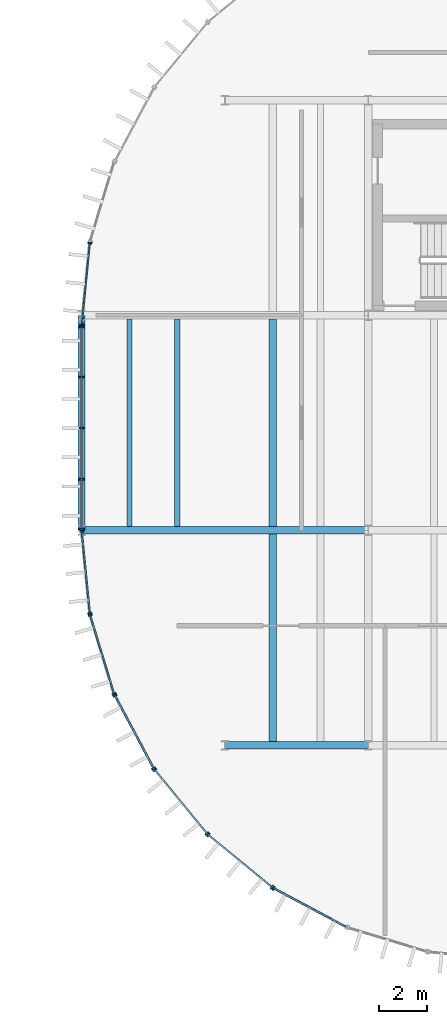
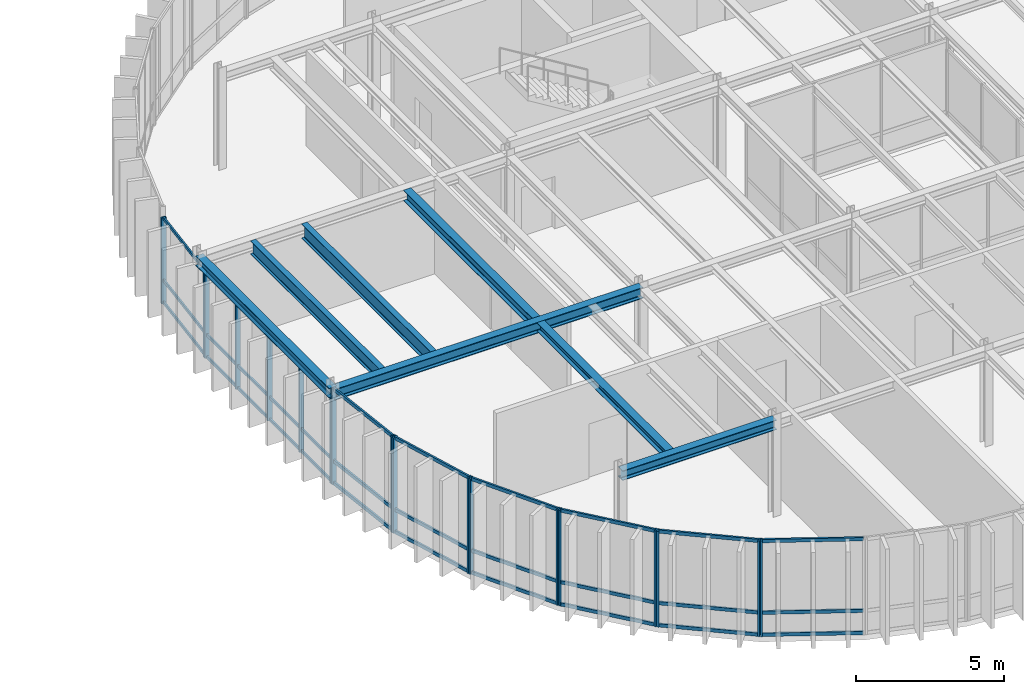
# One storey, part 6 of 31: 42 members, 7 beams, 8 elements without a shape of their own.
"""IFC4 building model written with IfcOpenShell, lengths in metres."""

from ifc_helpers import new_model, si_unit, direction, frame, origin, origin_2d, place, context, subcontext, project, spatial, rectangle, i_section, extrude, material, layer, layer_set, material_profile, profile_set, type_object, element, aggregate, save


model = new_model("IFC4")

# Units and contexts
model_context = context("Model", 3, precision=1e-05, world=origin(), true_north=direction((0.0, 1.0)))
body_context = subcontext(model_context, "Body", "Model", "MODEL_VIEW")
ifc_project = project(units=[si_unit("LENGTHUNIT", "METRE"), si_unit("AREAUNIT", "SQUARE_METRE"), si_unit("VOLUMEUNIT", "CUBIC_METRE"), si_unit("PLANEANGLEUNIT", "RADIAN"), si_unit("MASSUNIT", "GRAM", prefix="KILO")], contexts=[model_context])

# Site, building, storey
site_placement = place(None, origin())
site = spatial("IfcSite", under=ifc_project, at=site_placement, CompositionType="ELEMENT")
building_placement = place(site_placement, origin())
building = spatial("IfcBuilding", under=site, at=building_placement, Name="Montealbar Specialist Clinic", CompositionType="ELEMENT")
storey_placement = place(building_placement, frame((0.0, 0.0, 13.800048828125)))
storey = spatial("IfcBuildingStorey", under=building, at=storey_placement, Name="L03", CompositionType="ELEMENT", Elevation=13.800048828125)

# Beams
ifc_material_1 = material(Name="Steel S355", Category="steel")
ifc_material_profile_1 = material_profile(ifc_material_1, i_section(OverallWidth=0.300048828125, OverallDepth=0.39990234375, WebThickness=0.013427734375, FlangeThickness=0.02392578125, FilletRadius=0.027099609375, at=origin_2d()), Name="HEB 400", Category="steel")
ifc_profile_set_1 = profile_set([ifc_material_profile_1], Name="Steel S355")
beam_type_1 = type_object("IfcBeamType", Name="BM-GIRD-HEB400", PredefinedType="BEAM", material=ifc_profile_set_1)
beam_1_placement = place(storey_placement, frame((60.0, 9.0, 3.739990234375), z_axis=(1.0, 0.0, 0.0), x_axis=(0.0, 1.0, 0.0)))
element("IfcBeam", 1, at=beam_1_placement, inside=storey, type_object=beam_type_1, Name="Beam GX-L03-600-660-90", PredefinedType="BEAM", context=body_context, shape_type="SweptSolid", body=[
    extrude(i_section(OverallWidth=0.300048828125, OverallDepth=0.39990234375, WebThickness=0.013427734375, FlangeThickness=0.02392578125, FilletRadius=0.027099609375, at=origin_2d()), origin(), (0.0, 0.0, 1.0), 6.0),
])
ifc_material_profile_2 = material_profile(ifc_material_1, i_section(OverallWidth=0.300048828125, OverallDepth=0.39990234375, WebThickness=0.013427734375, FlangeThickness=0.02392578125, FilletRadius=0.027099609375, at=origin_2d()), Name="HEB 400", Category="steel")
ifc_profile_set_2 = profile_set([ifc_material_profile_2], Name="Steel S355")
beam_type_2 = type_object("IfcBeamType", Name="BM-GIRD-HEB400-EXT", PredefinedType="BEAM", material=ifc_profile_set_2)
beam_2_placement = place(storey_placement, frame((54.0, 18.0, 3.739990234375), z_axis=(0.0, 1.0, 0.0), x_axis=(-1.0, 0.0, 0.0)))
element("IfcBeam", 2, at=beam_2_placement, inside=storey, type_object=beam_type_2, Name="Beam GY-L03-540-180-270", PredefinedType="BEAM", context=body_context, shape_type="SweptSolid", body=[
    extrude(i_section(OverallWidth=0.300048828125, OverallDepth=0.39990234375, WebThickness=0.013427734375, FlangeThickness=0.02392578125, FilletRadius=0.027099609375, at=origin_2d()), origin(), (0.0, 0.0, 1.0), 9.0),
])
ifc_material_profile_3 = material_profile(ifc_material_1, i_section(OverallWidth=0.300048828125, OverallDepth=0.449951171875, WebThickness=0.013916015625, FlangeThickness=0.02587890625, FilletRadius=0.027099609375, at=origin_2d()), Name="HEB 450", Category="steel")
ifc_profile_set_3 = profile_set([ifc_material_profile_3], Name="Steel S355")
beam_type_3 = type_object("IfcBeamType", Name="BM-GIRD-HEB450", PredefinedType="BEAM", material=ifc_profile_set_3)
beam_3_placement = place(storey_placement, frame((54.0, 18.0, 3.71484375), z_axis=(1.0, 0.0, 0.0), x_axis=(0.0, 1.0, 0.0)))
element("IfcBeam", 3, at=beam_3_placement, inside=storey, type_object=beam_type_3, Name="Beam GX-L03-540-660-180", PredefinedType="BEAM", context=body_context, shape_type="SweptSolid", body=[
    extrude(i_section(OverallWidth=0.300048828125, OverallDepth=0.449951171875, WebThickness=0.013916015625, FlangeThickness=0.02587890625, FilletRadius=0.027099609375, at=origin_2d()), origin(), (0.0, 0.0, 1.0), 12.0),
])
ifc_material_profile_4 = material_profile(ifc_material_1, i_section(OverallWidth=0.300048828125, OverallDepth=0.35009765625, WebThickness=0.010009765625, FlangeThickness=0.017578125, FilletRadius=0.027099609375, at=origin_2d()), Name="HEA 360", Category="steel")
ifc_profile_set_4 = profile_set([ifc_material_profile_4], Name="Steel S355")
beam_type_4 = type_object("IfcBeamType", Name="BM-JST-HEA360", PredefinedType="JOIST", material=ifc_profile_set_4)
beam_4_placement = place(storey_placement, frame((62.0, 9.14990234375, 3.764892578125), z_axis=(0.0, 1.0, 0.0), x_axis=(-1.0, 0.0, 0.0)))
element("IfcBeam", 4, at=beam_4_placement, inside=storey, type_object=beam_type_4, Name="Beam JST-L03-620-92-178", PredefinedType="JOIST", context=body_context, shape_type="SweptSolid", body=[
    extrude(i_section(OverallWidth=0.300048828125, OverallDepth=0.35009765625, WebThickness=0.010009765625, FlangeThickness=0.017578125, FilletRadius=0.027099609375, at=origin_2d()), origin(), (0.0, 0.0, 1.0), 8.7001953125),
])
ifc_material_profile_5 = material_profile(ifc_material_1, i_section(OverallWidth=0.300048828125, OverallDepth=0.43994140625, WebThickness=0.011474609375, FlangeThickness=0.02099609375, FilletRadius=0.027099609375, at=origin_2d()), Name="HEA 450", Category="steel")
ifc_profile_set_5 = profile_set([ifc_material_profile_5], Name="Steel S355")
beam_type_5 = type_object("IfcBeamType", Name="BM-JST-HEA450", PredefinedType="JOIST", material=ifc_profile_set_5)
beam_5_placement = place(storey_placement, frame((62.0, 18.14990234375, 3.719970703125), z_axis=(0.0, 1.0, 0.0), x_axis=(-1.0, 0.0, 0.0)))
element("IfcBeam", 5, at=beam_5_placement, inside=storey, type_object=beam_type_5, Name="Beam JST-L03-620-182-268", PredefinedType="JOIST", context=body_context, shape_type="SweptSolid", body=[
    extrude(i_section(OverallWidth=0.300048828125, OverallDepth=0.43994140625, WebThickness=0.011474609375, FlangeThickness=0.02099609375, FilletRadius=0.027099609375, at=origin_2d()), origin(), (0.0, 0.0, 1.0), 8.7001953125),
])
ifc_material_profile_6 = material_profile(ifc_material_1, i_section(OverallWidth=0.2099609375, OverallDepth=0.550048828125, WebThickness=0.010986328125, FlangeThickness=0.01708984375, FilletRadius=0.02392578125, at=origin_2d()), Name="IPE 550", Category="steel")
ifc_profile_set_6 = profile_set([ifc_material_profile_6], Name="Steel S355")
beam_type_6 = type_object("IfcBeamType", Name="BM-JST-IPE550", PredefinedType="JOIST", material=ifc_profile_set_6)
beam_6_placement = place(storey_placement, frame((56.0, 18.14990234375, 3.6650390625), z_axis=(0.0, 1.0, 0.0), x_axis=(-1.0, 0.0, 0.0)))
element("IfcBeam", 6, at=beam_6_placement, inside=storey, type_object=beam_type_6, Name="Beam JST-L03-560-182-268", PredefinedType="JOIST", context=body_context, shape_type="SweptSolid", body=[
    extrude(i_section(OverallWidth=0.2099609375, OverallDepth=0.550048828125, WebThickness=0.010986328125, FlangeThickness=0.01708984375, FilletRadius=0.02392578125, at=origin_2d()), origin(), (0.0, 0.0, 1.0), 8.7001953125),
])
ifc_material_profile_7 = material_profile(ifc_material_1, i_section(OverallWidth=0.219970703125, OverallDepth=0.60009765625, WebThickness=0.011962890625, FlangeThickness=0.01904296875, FilletRadius=0.02392578125, at=origin_2d()), Name="IPE 600", Category="steel")
ifc_profile_set_7 = profile_set([ifc_material_profile_7], Name="Steel S355")
beam_type_7 = type_object("IfcBeamType", Name="BM-JST-IPE600", PredefinedType="JOIST", material=ifc_profile_set_7)
beam_7_placement = place(storey_placement, frame((58.0, 18.14990234375, 3.639892578125), z_axis=(0.0, 1.0, 0.0), x_axis=(-1.0, 0.0, 0.0)))
element("IfcBeam", 7, at=beam_7_placement, inside=storey, type_object=beam_type_7, Name="Beam JST-L03-580-182-268", PredefinedType="JOIST", context=body_context, shape_type="SweptSolid", body=[
    extrude(i_section(OverallWidth=0.219970703125, OverallDepth=0.60009765625, WebThickness=0.011962890625, FlangeThickness=0.01904296875, FilletRadius=0.02392578125, at=origin_2d()), origin(), (0.0, 0.0, 1.0), 8.7001953125),
])

# Curtain wall, members
ifc_material_2 = material(Name="Low-E double glazing", Category="glass")
ifc_layer_1 = layer(ifc_material_2, 0.199951171875, Name="Low-E double glazing", Category="glass")
ifc_layer_set_1 = layer_set([ifc_layer_1], Name="Low-E double glazing")
curtain_wall_type_1 = type_object("IfcCurtainWallType", Name="CW-TYPE-18", PredefinedType="NOTDEFINED", material=ifc_layer_set_1)
curtain_wall_1_placement = place(storey_placement, origin())
curtain_wall_1 = element("IfcCurtainWall", 8, at=curtain_wall_1_placement, inside=storey, type_object=curtain_wall_type_1, Name="Unitised Curtain Wall CW-L03-540-266-543-301-138", PredefinedType="NOTDEFINED")
ifc_material_3 = material(Name="Anodised aluminium EN AW-6063", Category="aluminium")
ifc_material_profile_8 = material_profile(ifc_material_3, rectangle(XDim=0.070068359375, YDim=0.179931640625, at=origin_2d()), Name="ALU 70x180", Category="aluminium")
ifc_profile_set_8 = profile_set([ifc_material_profile_8], Name="Anodised aluminium EN AW-6063")
member_type_1 = type_object("IfcMemberType", Name="CW-MUL-200", PredefinedType="MULLION", material=ifc_profile_set_8)
member_1_placement = place(storey_placement, frame((54.00390625, 26.590087890625, 0.0), z_axis=(0.0, 0.0, 1.0), x_axis=(0.098044697094, 0.995182012183, 0.0)))
member_1 = element("IfcMember", 9, at=member_1_placement, type_object=member_type_1, Name="Curtain Wall Mullion CW-L03-540-266-543-301-138-00", PredefinedType="MULLION", context=body_context, shape_type="SweptSolid", body=[
    extrude(rectangle(XDim=0.070068359375, YDim=0.179931640625, at=origin_2d()), origin(), (0.0, 0.0, 1.0), 3.5400390625),
])
member_2_placement = place(storey_placement, frame((54.342041015625, 30.02197265625, 0.0), z_axis=(0.0, 0.0, 1.0), x_axis=(0.098044697094, 0.995182012183, 0.0)))
member_2 = element("IfcMember", 10, at=member_2_placement, type_object=member_type_1, Name="Curtain Wall Mullion CW-L03-540-266-543-301-138-01", PredefinedType="MULLION", context=body_context, shape_type="SweptSolid", body=[
    extrude(rectangle(XDim=0.070068359375, YDim=0.179931640625, at=origin_2d()), origin(), (0.0, 0.0, 1.0), 3.5400390625),
])

# Curtain wall, member
ifc_layer_2 = layer(ifc_material_2, 0.199951171875, Name="Low-E double glazing", Category="glass")
ifc_layer_set_2 = layer_set([ifc_layer_2], Name="Low-E double glazing")
curtain_wall_type_2 = type_object("IfcCurtainWallType", Name="CW-TYPE-19", PredefinedType="NOTDEFINED", material=ifc_layer_set_2)
curtain_wall_2_placement = place(storey_placement, origin())
curtain_wall_2 = element("IfcCurtainWall", 11, at=curtain_wall_2_placement, inside=storey, type_object=curtain_wall_type_2, Name="Unitised Curtain Wall CW-L03-651-14-620-30-138", PredefinedType="NOTDEFINED")
member_3_placement = place(storey_placement, frame((62.034912109375, 3.014892578125, 0.0), z_axis=(0.0, 0.0, 1.0), x_axis=(-0.881850411644, 0.471529268958, 0.0)))
member_3 = element("IfcMember", 12, at=member_3_placement, type_object=member_type_1, Name="Curtain Wall Mullion CW-L03-651-14-620-30-138-01", PredefinedType="MULLION", context=body_context, shape_type="SweptSolid", body=[
    extrude(rectangle(XDim=0.070068359375, YDim=0.179931640625, at=origin_2d()), origin(), (0.0, 0.0, 1.0), 3.93994140625),
])

# Curtain wall, members
curtain_wall_3_placement = place(storey_placement, origin())
curtain_wall_3 = element("IfcCurtainWall", 13, at=curtain_wall_3_placement, inside=storey, type_object=curtain_wall_type_2, Name="Unitised Curtain Wall CW-L03-620-30-593-53-138", PredefinedType="NOTDEFINED")
member_4_placement = place(storey_placement, frame((61.968994140625, 3.05908203125, 0.0), z_axis=(0.0, 0.0, 1.0), x_axis=(-0.773123255923, 0.634255808922, 0.0)))
member_4 = element("IfcMember", 14, at=member_4_placement, type_object=member_type_1, Name="Curtain Wall Mullion CW-L03-620-30-593-53-138-00", PredefinedType="MULLION", context=body_context, shape_type="SweptSolid", body=[
    extrude(rectangle(XDim=0.070068359375, YDim=0.179931640625, at=origin_2d()), origin(), (0.0, 0.0, 1.0), 3.93994140625),
])
member_5_placement = place(storey_placement, frame((59.302978515625, 5.2470703125, 0.0), z_axis=(0.0, 0.0, 1.0), x_axis=(-0.773123255923, 0.634255808922, 0.0)))
member_5 = element("IfcMember", 15, at=member_5_placement, type_object=member_type_1, Name="Curtain Wall Mullion CW-L03-620-30-593-53-138-01", PredefinedType="MULLION", context=body_context, shape_type="SweptSolid", body=[
    extrude(rectangle(XDim=0.070068359375, YDim=0.179931640625, at=origin_2d()), origin(), (0.0, 0.0, 1.0), 3.93994140625),
])

curtain_wall_4_placement = place(storey_placement, origin())
curtain_wall_4 = element("IfcCurtainWall", 16, at=curtain_wall_4_placement, inside=storey, type_object=curtain_wall_type_2, Name="Unitised Curtain Wall CW-L03-593-53-570-80-138", PredefinedType="NOTDEFINED")
member_6_placement = place(storey_placement, frame((59.2470703125, 5.302978515625, 0.0), z_axis=(0.0, 0.0, 1.0), x_axis=(-0.634255808922, 0.773123255923, 0.0)))
member_6 = element("IfcMember", 17, at=member_6_placement, type_object=member_type_1, Name="Curtain Wall Mullion CW-L03-593-53-570-80-138-00", PredefinedType="MULLION", context=body_context, shape_type="SweptSolid", body=[
    extrude(rectangle(XDim=0.070068359375, YDim=0.179931640625, at=origin_2d()), origin(), (0.0, 0.0, 1.0), 3.93994140625),
])
member_7_placement = place(storey_placement, frame((57.05908203125, 7.968994140625, 0.0), z_axis=(0.0, 0.0, 1.0), x_axis=(-0.634255808922, 0.773123255923, 0.0)))
member_7 = element("IfcMember", 18, at=member_7_placement, type_object=member_type_1, Name="Curtain Wall Mullion CW-L03-593-53-570-80-138-01", PredefinedType="MULLION", context=body_context, shape_type="SweptSolid", body=[
    extrude(rectangle(XDim=0.070068359375, YDim=0.179931640625, at=origin_2d()), origin(), (0.0, 0.0, 1.0), 3.93994140625),
])

curtain_wall_5_placement = place(storey_placement, origin())
curtain_wall_5 = element("IfcCurtainWall", 19, at=curtain_wall_5_placement, inside=storey, type_object=curtain_wall_type_2, Name="Unitised Curtain Wall CW-L03-570-80-554-111-138", PredefinedType="NOTDEFINED")
member_8_placement = place(storey_placement, frame((57.014892578125, 8.034912109375, 0.0), z_axis=(0.0, 0.0, 1.0), x_axis=(-0.471529268958, 0.881850411644, 0.0)))
member_8 = element("IfcMember", 20, at=member_8_placement, type_object=member_type_1, Name="Curtain Wall Mullion CW-L03-570-80-554-111-138-00", PredefinedType="MULLION", context=body_context, shape_type="SweptSolid", body=[
    extrude(rectangle(XDim=0.070068359375, YDim=0.179931640625, at=origin_2d()), origin(), (0.0, 0.0, 1.0), 3.93994140625),
])
member_9_placement = place(storey_placement, frame((55.388916015625, 11.076904296875, 0.0), z_axis=(0.0, 0.0, 1.0), x_axis=(-0.471529268958, 0.881850411644, 0.0)))
member_9 = element("IfcMember", 21, at=member_9_placement, type_object=member_type_1, Name="Curtain Wall Mullion CW-L03-570-80-554-111-138-01", PredefinedType="MULLION", context=body_context, shape_type="SweptSolid", body=[
    extrude(rectangle(XDim=0.070068359375, YDim=0.179931640625, at=origin_2d()), origin(), (0.0, 0.0, 1.0), 3.93994140625),
])

curtain_wall_6_placement = place(storey_placement, origin())
curtain_wall_6 = element("IfcCurtainWall", 22, at=curtain_wall_6_placement, inside=storey, type_object=curtain_wall_type_2, Name="Unitised Curtain Wall CW-L03-554-111-543-145-138", PredefinedType="NOTDEFINED")
member_10_placement = place(storey_placement, frame((55.35791015625, 11.14990234375, 0.0), z_axis=(0.0, 0.0, 1.0), x_axis=(-0.290259134399, 0.956948083701, 0.0)))
member_10 = element("IfcMember", 23, at=member_10_placement, type_object=member_type_1, Name="Curtain Wall Mullion CW-L03-554-111-543-145-138-00", PredefinedType="MULLION", context=body_context, shape_type="SweptSolid", body=[
    extrude(rectangle(XDim=0.070068359375, YDim=0.179931640625, at=origin_2d()), origin(), (0.0, 0.0, 1.0), 3.93994140625),
])
member_11_placement = place(storey_placement, frame((54.35791015625, 14.449951171875, 0.0), z_axis=(0.0, 0.0, 1.0), x_axis=(-0.290259134399, 0.956948083701, 0.0)))
member_11 = element("IfcMember", 24, at=member_11_placement, type_object=member_type_1, Name="Curtain Wall Mullion CW-L03-554-111-543-145-138-01", PredefinedType="MULLION", context=body_context, shape_type="SweptSolid", body=[
    extrude(rectangle(XDim=0.070068359375, YDim=0.179931640625, at=origin_2d()), origin(), (0.0, 0.0, 1.0), 3.93994140625),
])

curtain_wall_7_placement = place(storey_placement, origin())
curtain_wall_7 = element("IfcCurtainWall", 25, at=curtain_wall_7_placement, inside=storey, type_object=curtain_wall_type_2, Name="Unitised Curtain Wall CW-L03-543-145-540-180-138", PredefinedType="NOTDEFINED")
member_12_placement = place(storey_placement, frame((54.342041015625, 14.528076171875, 0.0), z_axis=(0.0, 0.0, 1.0), x_axis=(-0.098044697094, 0.995182012183, 0.0)))
member_12 = element("IfcMember", 26, at=member_12_placement, type_object=member_type_1, Name="Curtain Wall Mullion CW-L03-543-145-540-180-138-00", PredefinedType="MULLION", context=body_context, shape_type="SweptSolid", body=[
    extrude(rectangle(XDim=0.070068359375, YDim=0.179931640625, at=origin_2d()), origin(), (0.0, 0.0, 1.0), 3.93994140625),
])
member_13_placement = place(storey_placement, frame((54.00390625, 17.9599609375, 0.0), z_axis=(0.0, 0.0, 1.0), x_axis=(-0.098044697094, 0.995182012183, 0.0)))
member_13 = element("IfcMember", 27, at=member_13_placement, type_object=member_type_1, Name="Curtain Wall Mullion CW-L03-543-145-540-180-138-01", PredefinedType="MULLION", context=body_context, shape_type="SweptSolid", body=[
    extrude(rectangle(XDim=0.070068359375, YDim=0.179931640625, at=origin_2d()), origin(), (0.0, 0.0, 1.0), 3.93994140625),
])

ifc_layer_3 = layer(ifc_material_2, 0.199951171875, Name="Low-E double glazing", Category="glass")
ifc_layer_set_3 = layer_set([ifc_layer_3], Name="Low-E double glazing")
curtain_wall_type_3 = type_object("IfcCurtainWallType", Name="CW-TYPE-23", PredefinedType="NOTDEFINED", material=ifc_layer_set_3)
curtain_wall_8_placement = place(storey_placement, origin())
curtain_wall_8 = element("IfcCurtainWall", 28, at=curtain_wall_8_placement, inside=storey, type_object=curtain_wall_type_3, Name="Unitised Curtain Wall CW-L03-540-180-540-266-138", PredefinedType="NOTDEFINED")
member_14_placement = place(storey_placement, frame((54.0, 18.0400390625, 0.0), z_axis=(0.0, 0.0, 1.0), x_axis=(0.0, 1.0, 0.0)))
member_14 = element("IfcMember", 29, at=member_14_placement, type_object=member_type_1, Name="Curtain Wall Mullion CW-L03-540-180-540-266-138-00", PredefinedType="MULLION", context=body_context, shape_type="SweptSolid", body=[
    extrude(rectangle(XDim=0.070068359375, YDim=0.179931640625, at=origin_2d()), origin(), (0.0, 0.0, 1.0), 3.5400390625),
])
member_15_placement = place(storey_placement, frame((54.0, 20.136962890625, 0.0), z_axis=(0.0, 0.0, 1.0), x_axis=(0.0, 1.0, 0.0)))
member_15 = element("IfcMember", 30, at=member_15_placement, type_object=member_type_1, Name="Curtain Wall Mullion CW-L03-540-180-540-266-138-01", PredefinedType="MULLION", context=body_context, shape_type="SweptSolid", body=[
    extrude(rectangle(XDim=0.070068359375, YDim=0.179931640625, at=origin_2d()), origin(), (0.0, 0.0, 1.0), 3.5400390625),
])
member_16_placement = place(storey_placement, frame((54.0, 22.27490234375, 0.0), z_axis=(0.0, 0.0, 1.0), x_axis=(0.0, 1.0, 0.0)))
member_16 = element("IfcMember", 31, at=member_16_placement, type_object=member_type_1, Name="Curtain Wall Mullion CW-L03-540-180-540-266-138-02", PredefinedType="MULLION", context=body_context, shape_type="SweptSolid", body=[
    extrude(rectangle(XDim=0.070068359375, YDim=0.179931640625, at=origin_2d()), origin(), (0.0, 0.0, 1.0), 3.5400390625),
])
member_17_placement = place(storey_placement, frame((54.0, 24.4130859375, 0.0), z_axis=(0.0, 0.0, 1.0), x_axis=(0.0, 1.0, 0.0)))
member_17 = element("IfcMember", 32, at=member_17_placement, type_object=member_type_1, Name="Curtain Wall Mullion CW-L03-540-180-540-266-138-03", PredefinedType="MULLION", context=body_context, shape_type="SweptSolid", body=[
    extrude(rectangle(XDim=0.070068359375, YDim=0.179931640625, at=origin_2d()), origin(), (0.0, 0.0, 1.0), 3.5400390625),
])
member_18_placement = place(storey_placement, frame((54.0, 26.510009765625, 0.0), z_axis=(0.0, 0.0, 1.0), x_axis=(0.0, 1.0, 0.0)))
member_18 = element("IfcMember", 33, at=member_18_placement, type_object=member_type_1, Name="Curtain Wall Mullion CW-L03-540-180-540-266-138-04", PredefinedType="MULLION", context=body_context, shape_type="SweptSolid", body=[
    extrude(rectangle(XDim=0.070068359375, YDim=0.179931640625, at=origin_2d()), origin(), (0.0, 0.0, 1.0), 3.5400390625),
])

# Member
ifc_material_4 = material(Name="Powder-coated aluminium", Category="aluminium")
ifc_material_profile_9 = material_profile(ifc_material_4, rectangle(XDim=0.06005859375, YDim=0.1201171875, at=origin_2d()), Name="ALU 60x120", Category="aluminium")
ifc_profile_set_9 = profile_set([ifc_material_profile_9], Name="Powder-coated aluminium")
member_type_2 = type_object("IfcMemberType", Name="CW-TRN-120", PredefinedType="USERDEFINED", material=ifc_profile_set_9)
member_19_placement = place(storey_placement, frame((54.0048828125, 26.60009765625, 0.0400390625), z_axis=(0.098058232162, 0.995180678623, 0.0), x_axis=(-0.995180678623, 0.098058232162, 0.0)))
member_19 = element("IfcMember", 34, at=member_19_placement, type_object=member_type_2, Name="Curtain Wall Transom CW-L03-540-266-543-301-138-00", ObjectType="TRANSOM", PredefinedType="USERDEFINED", context=body_context, shape_type="SweptSolid", body=[
    extrude(rectangle(XDim=0.06005859375, YDim=0.1201171875, at=origin_2d()), origin(), (0.0, 0.0, 1.0), 3.428466796875),
])

member_20_placement = place(storey_placement, frame((54.0048828125, 26.60009765625, 0.949951171875), z_axis=(0.098058232162, 0.995180678623, 0.0), x_axis=(-0.995180678623, 0.098058232162, 0.0)))
member_20 = element("IfcMember", 35, at=member_20_placement, type_object=member_type_2, Name="Curtain Wall Transom CW-L03-540-266-543-301-138-01", ObjectType="TRANSOM", PredefinedType="USERDEFINED", context=body_context, shape_type="SweptSolid", body=[
    extrude(rectangle(XDim=0.06005859375, YDim=0.1201171875, at=origin_2d()), origin(), (0.0, 0.0, 1.0), 3.428466796875),
])

member_21_placement = place(storey_placement, frame((54.0048828125, 26.60009765625, 3.5), z_axis=(0.098058232162, 0.995180678623, 0.0), x_axis=(-0.995180678623, 0.098058232162, 0.0)))
member_21 = element("IfcMember", 36, at=member_21_placement, type_object=member_type_2, Name="Curtain Wall Transom CW-L03-540-266-543-301-138-02", ObjectType="TRANSOM", PredefinedType="USERDEFINED", context=body_context, shape_type="SweptSolid", body=[
    extrude(rectangle(XDim=0.06005859375, YDim=0.1201171875, at=origin_2d()), origin(), (0.0, 0.0, 1.0), 3.428466796875),
])

aggregate(curtain_wall_1, [member_1, member_2, member_19, member_20, member_21])

member_22_placement = place(storey_placement, frame((54.0, 18.050048828125, 0.0400390625), z_axis=(0.0, 1.0, 0.0), x_axis=(-1.0, 0.0, 0.0)))
member_22 = element("IfcMember", 37, at=member_22_placement, type_object=member_type_2, Name="Curtain Wall Transom CW-L03-540-180-540-266-138-00", ObjectType="TRANSOM", PredefinedType="USERDEFINED", context=body_context, shape_type="SweptSolid", body=[
    extrude(rectangle(XDim=0.06005859375, YDim=0.1201171875, at=origin_2d()), origin(), (0.0, 0.0, 1.0), 8.449951171875),
])

member_23_placement = place(storey_placement, frame((54.0, 18.050048828125, 0.949951171875), z_axis=(0.0, 1.0, 0.0), x_axis=(-1.0, 0.0, 0.0)))
member_23 = element("IfcMember", 38, at=member_23_placement, type_object=member_type_2, Name="Curtain Wall Transom CW-L03-540-180-540-266-138-01", ObjectType="TRANSOM", PredefinedType="USERDEFINED", context=body_context, shape_type="SweptSolid", body=[
    extrude(rectangle(XDim=0.06005859375, YDim=0.1201171875, at=origin_2d()), origin(), (0.0, 0.0, 1.0), 8.449951171875),
])

member_24_placement = place(storey_placement, frame((54.0, 18.050048828125, 3.5), z_axis=(0.0, 1.0, 0.0), x_axis=(-1.0, 0.0, 0.0)))
member_24 = element("IfcMember", 39, at=member_24_placement, type_object=member_type_2, Name="Curtain Wall Transom CW-L03-540-180-540-266-138-02", ObjectType="TRANSOM", PredefinedType="USERDEFINED", context=body_context, shape_type="SweptSolid", body=[
    extrude(rectangle(XDim=0.06005859375, YDim=0.1201171875, at=origin_2d()), origin(), (0.0, 0.0, 1.0), 8.449951171875),
])

aggregate(curtain_wall_8, [member_14, member_15, member_16, member_17, member_18, member_22, member_23, member_24])

ifc_material_profile_10 = material_profile(ifc_material_4, rectangle(XDim=0.070068359375, YDim=0.139892578125, at=origin_2d()), Name="ALU 70x140", Category="aluminium")
ifc_profile_set_10 = profile_set([ifc_material_profile_10], Name="Powder-coated aluminium")
member_type_3 = type_object("IfcMemberType", Name="CW-TRN-140", PredefinedType="USERDEFINED", material=ifc_profile_set_10)
member_25_placement = place(storey_placement, frame((65.068115234375, 1.39404296875, 0.0400390625), z_axis=(-0.881980147273, 0.471286558069, 0.0), x_axis=(-0.471286558069, -0.881980147273, 0.0)))
member_25 = element("IfcMember", 40, at=member_25_placement, type_object=member_type_3, Name="Curtain Wall Transom CW-L03-651-14-620-30-138-00", ObjectType="TRANSOM", PredefinedType="USERDEFINED", context=body_context, shape_type="SweptSolid", body=[
    extrude(rectangle(XDim=0.070068359375, YDim=0.139892578125, at=origin_2d()), origin(), (0.0, 0.0, 1.0), 3.428955078125),
])

member_26_placement = place(storey_placement, frame((65.068115234375, 1.39404296875, 0.949951171875), z_axis=(-0.881980147273, 0.471286558069, 0.0), x_axis=(-0.471286558069, -0.881980147273, 0.0)))
member_26 = element("IfcMember", 41, at=member_26_placement, type_object=member_type_3, Name="Curtain Wall Transom CW-L03-651-14-620-30-138-01", ObjectType="TRANSOM", PredefinedType="USERDEFINED", context=body_context, shape_type="SweptSolid", body=[
    extrude(rectangle(XDim=0.070068359375, YDim=0.139892578125, at=origin_2d()), origin(), (0.0, 0.0, 1.0), 3.428955078125),
])

member_27_placement = place(storey_placement, frame((65.068115234375, 1.39404296875, 3.89990234375), z_axis=(-0.881980147273, 0.471286558069, 0.0), x_axis=(-0.471286558069, -0.881980147273, 0.0)))
member_27 = element("IfcMember", 42, at=member_27_placement, type_object=member_type_3, Name="Curtain Wall Transom CW-L03-651-14-620-30-138-02", ObjectType="TRANSOM", PredefinedType="USERDEFINED", context=body_context, shape_type="SweptSolid", body=[
    extrude(rectangle(XDim=0.070068359375, YDim=0.139892578125, at=origin_2d()), origin(), (0.0, 0.0, 1.0), 3.428955078125),
])

aggregate(curtain_wall_2, [member_3, member_25, member_26, member_27])

member_28_placement = place(storey_placement, frame((61.9609375, 3.06591796875, 0.0400390625), z_axis=(-0.773102924144, 0.634280591441, 0.0), x_axis=(-0.634280591441, -0.773102924144, 0.0)))
member_28 = element("IfcMember", 43, at=member_28_placement, type_object=member_type_3, Name="Curtain Wall Transom CW-L03-620-30-593-53-138-00", ObjectType="TRANSOM", PredefinedType="USERDEFINED", context=body_context, shape_type="SweptSolid", body=[
    extrude(rectangle(XDim=0.070068359375, YDim=0.139892578125, at=origin_2d()), origin(), (0.0, 0.0, 1.0), 3.427734375),
])

member_29_placement = place(storey_placement, frame((61.9609375, 3.06591796875, 0.949951171875), z_axis=(-0.773102924144, 0.634280591441, 0.0), x_axis=(-0.634280591441, -0.773102924144, 0.0)))
member_29 = element("IfcMember", 44, at=member_29_placement, type_object=member_type_3, Name="Curtain Wall Transom CW-L03-620-30-593-53-138-01", ObjectType="TRANSOM", PredefinedType="USERDEFINED", context=body_context, shape_type="SweptSolid", body=[
    extrude(rectangle(XDim=0.070068359375, YDim=0.139892578125, at=origin_2d()), origin(), (0.0, 0.0, 1.0), 3.427734375),
])

member_30_placement = place(storey_placement, frame((61.9609375, 3.06591796875, 3.89990234375), z_axis=(-0.773102924144, 0.634280591441, 0.0), x_axis=(-0.634280591441, -0.773102924144, 0.0)))
member_30 = element("IfcMember", 45, at=member_30_placement, type_object=member_type_3, Name="Curtain Wall Transom CW-L03-620-30-593-53-138-02", ObjectType="TRANSOM", PredefinedType="USERDEFINED", context=body_context, shape_type="SweptSolid", body=[
    extrude(rectangle(XDim=0.070068359375, YDim=0.139892578125, at=origin_2d()), origin(), (0.0, 0.0, 1.0), 3.427734375),
])

aggregate(curtain_wall_3, [member_4, member_5, member_28, member_29, member_30])

member_31_placement = place(storey_placement, frame((59.239990234375, 5.31103515625, 0.0400390625), z_axis=(-0.634280591441, 0.773102924144, 0.0), x_axis=(-0.773102924144, -0.634280591441, 0.0)))
member_31 = element("IfcMember", 46, at=member_31_placement, type_object=member_type_3, Name="Curtain Wall Transom CW-L03-593-53-570-80-138-00", ObjectType="TRANSOM", PredefinedType="USERDEFINED", context=body_context, shape_type="SweptSolid", body=[
    extrude(rectangle(XDim=0.070068359375, YDim=0.139892578125, at=origin_2d()), origin(), (0.0, 0.0, 1.0), 3.427734375),
])

member_32_placement = place(storey_placement, frame((59.239990234375, 5.31103515625, 0.949951171875), z_axis=(-0.634280591441, 0.773102924144, 0.0), x_axis=(-0.773102924144, -0.634280591441, 0.0)))
member_32 = element("IfcMember", 47, at=member_32_placement, type_object=member_type_3, Name="Curtain Wall Transom CW-L03-593-53-570-80-138-01", ObjectType="TRANSOM", PredefinedType="USERDEFINED", context=body_context, shape_type="SweptSolid", body=[
    extrude(rectangle(XDim=0.070068359375, YDim=0.139892578125, at=origin_2d()), origin(), (0.0, 0.0, 1.0), 3.427734375),
])

member_33_placement = place(storey_placement, frame((59.239990234375, 5.31103515625, 3.89990234375), z_axis=(-0.634280591441, 0.773102924144, 0.0), x_axis=(-0.773102924144, -0.634280591441, 0.0)))
member_33 = element("IfcMember", 48, at=member_33_placement, type_object=member_type_3, Name="Curtain Wall Transom CW-L03-593-53-570-80-138-02", ObjectType="TRANSOM", PredefinedType="USERDEFINED", context=body_context, shape_type="SweptSolid", body=[
    extrude(rectangle(XDim=0.070068359375, YDim=0.139892578125, at=origin_2d()), origin(), (0.0, 0.0, 1.0), 3.427734375),
])

aggregate(curtain_wall_4, [member_6, member_7, member_31, member_32, member_33])

member_34_placement = place(storey_placement, frame((57.010009765625, 8.0439453125, 0.0400390625), z_axis=(-0.471286558069, 0.881980147273, 0.0), x_axis=(-0.881980147273, -0.471286558069, 0.0)))
member_34 = element("IfcMember", 49, at=member_34_placement, type_object=member_type_3, Name="Curtain Wall Transom CW-L03-570-80-554-111-138-00", ObjectType="TRANSOM", PredefinedType="USERDEFINED", context=body_context, shape_type="SweptSolid", body=[
    extrude(rectangle(XDim=0.070068359375, YDim=0.139892578125, at=origin_2d()), origin(), (0.0, 0.0, 1.0), 3.428955078125),
])

member_35_placement = place(storey_placement, frame((57.010009765625, 8.0439453125, 0.949951171875), z_axis=(-0.471286558069, 0.881980147273, 0.0), x_axis=(-0.881980147273, -0.471286558069, 0.0)))
member_35 = element("IfcMember", 50, at=member_35_placement, type_object=member_type_3, Name="Curtain Wall Transom CW-L03-570-80-554-111-138-01", ObjectType="TRANSOM", PredefinedType="USERDEFINED", context=body_context, shape_type="SweptSolid", body=[
    extrude(rectangle(XDim=0.070068359375, YDim=0.139892578125, at=origin_2d()), origin(), (0.0, 0.0, 1.0), 3.428955078125),
])

member_36_placement = place(storey_placement, frame((57.010009765625, 8.0439453125, 3.89990234375), z_axis=(-0.471286558069, 0.881980147273, 0.0), x_axis=(-0.881980147273, -0.471286558069, 0.0)))
member_36 = element("IfcMember", 51, at=member_36_placement, type_object=member_type_3, Name="Curtain Wall Transom CW-L03-570-80-554-111-138-02", ObjectType="TRANSOM", PredefinedType="USERDEFINED", context=body_context, shape_type="SweptSolid", body=[
    extrude(rectangle(XDim=0.070068359375, YDim=0.139892578125, at=origin_2d()), origin(), (0.0, 0.0, 1.0), 3.428955078125),
])

aggregate(curtain_wall_5, [member_8, member_9, member_34, member_35, member_36])

member_37_placement = place(storey_placement, frame((55.35498046875, 11.159912109375, 0.0400390625), z_axis=(-0.289993555849, 0.957028598092, 0.0), x_axis=(-0.957028598092, -0.289993555849, 0.0)))
member_37 = element("IfcMember", 52, at=member_37_placement, type_object=member_type_3, Name="Curtain Wall Transom CW-L03-554-111-543-145-138-00", ObjectType="TRANSOM", PredefinedType="USERDEFINED", context=body_context, shape_type="SweptSolid", body=[
    extrude(rectangle(XDim=0.070068359375, YDim=0.139892578125, at=origin_2d()), origin(), (0.0, 0.0, 1.0), 3.42724609375),
])

member_38_placement = place(storey_placement, frame((55.35498046875, 11.159912109375, 0.949951171875), z_axis=(-0.289993555849, 0.957028598092, 0.0), x_axis=(-0.957028598092, -0.289993555849, 0.0)))
member_38 = element("IfcMember", 53, at=member_38_placement, type_object=member_type_3, Name="Curtain Wall Transom CW-L03-554-111-543-145-138-01", ObjectType="TRANSOM", PredefinedType="USERDEFINED", context=body_context, shape_type="SweptSolid", body=[
    extrude(rectangle(XDim=0.070068359375, YDim=0.139892578125, at=origin_2d()), origin(), (0.0, 0.0, 1.0), 3.42724609375),
])

member_39_placement = place(storey_placement, frame((55.35498046875, 11.159912109375, 3.89990234375), z_axis=(-0.289993555849, 0.957028598092, 0.0), x_axis=(-0.957028598092, -0.289993555849, 0.0)))
member_39 = element("IfcMember", 54, at=member_39_placement, type_object=member_type_3, Name="Curtain Wall Transom CW-L03-554-111-543-145-138-02", ObjectType="TRANSOM", PredefinedType="USERDEFINED", context=body_context, shape_type="SweptSolid", body=[
    extrude(rectangle(XDim=0.070068359375, YDim=0.139892578125, at=origin_2d()), origin(), (0.0, 0.0, 1.0), 3.42724609375),
])

aggregate(curtain_wall_6, [member_10, member_11, member_37, member_38, member_39])

member_40_placement = place(storey_placement, frame((54.341064453125, 14.5380859375, 0.0400390625), z_axis=(-0.098058232162, 0.995180678623, 0.0), x_axis=(-0.995180678623, -0.098058232162, 0.0)))
member_40 = element("IfcMember", 55, at=member_40_placement, type_object=member_type_3, Name="Curtain Wall Transom CW-L03-543-145-540-180-138-00", ObjectType="TRANSOM", PredefinedType="USERDEFINED", context=body_context, shape_type="SweptSolid", body=[
    extrude(rectangle(XDim=0.070068359375, YDim=0.139892578125, at=origin_2d()), origin(), (0.0, 0.0, 1.0), 3.428466796875),
])

member_41_placement = place(storey_placement, frame((54.341064453125, 14.5380859375, 0.949951171875), z_axis=(-0.098058232162, 0.995180678623, 0.0), x_axis=(-0.995180678623, -0.098058232162, 0.0)))
member_41 = element("IfcMember", 56, at=member_41_placement, type_object=member_type_3, Name="Curtain Wall Transom CW-L03-543-145-540-180-138-01", ObjectType="TRANSOM", PredefinedType="USERDEFINED", context=body_context, shape_type="SweptSolid", body=[
    extrude(rectangle(XDim=0.070068359375, YDim=0.139892578125, at=origin_2d()), origin(), (0.0, 0.0, 1.0), 3.428466796875),
])

member_42_placement = place(storey_placement, frame((54.341064453125, 14.5380859375, 3.89990234375), z_axis=(-0.098058232162, 0.995180678623, 0.0), x_axis=(-0.995180678623, -0.098058232162, 0.0)))
member_42 = element("IfcMember", 57, at=member_42_placement, type_object=member_type_3, Name="Curtain Wall Transom CW-L03-543-145-540-180-138-02", ObjectType="TRANSOM", PredefinedType="USERDEFINED", context=body_context, shape_type="SweptSolid", body=[
    extrude(rectangle(XDim=0.070068359375, YDim=0.139892578125, at=origin_2d()), origin(), (0.0, 0.0, 1.0), 3.428466796875),
])

aggregate(curtain_wall_7, [member_12, member_13, member_40, member_41, member_42])

save(model, "model.ifc")
